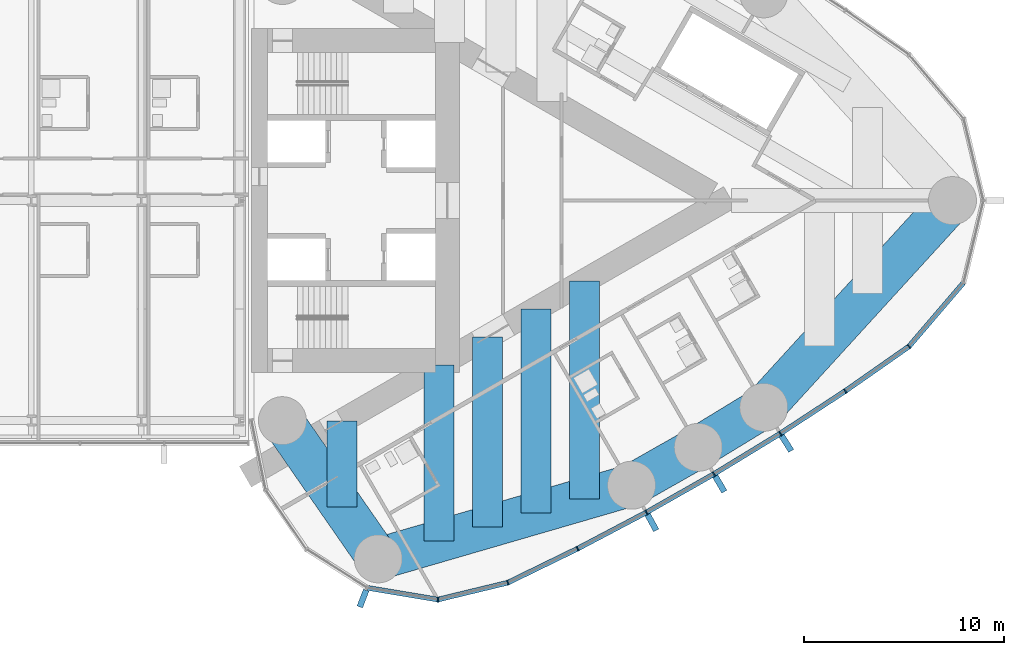
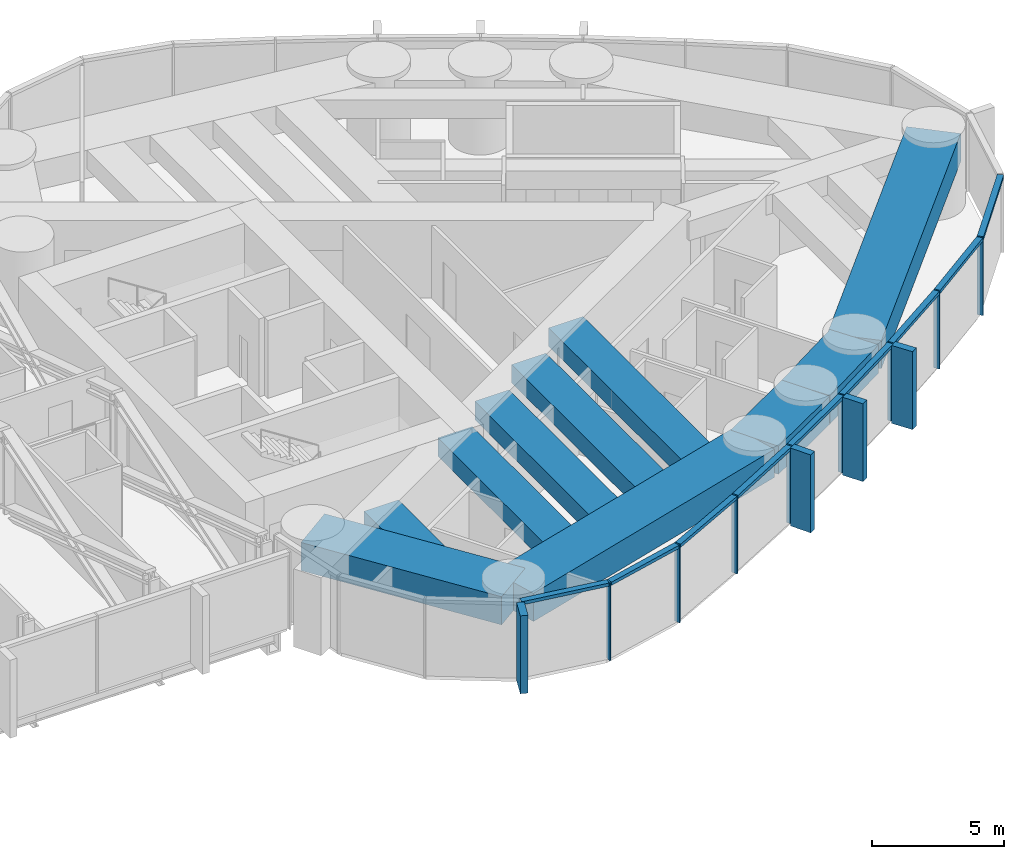
# One storey, part 9 of 24: 21 members, 10 beams, 1 element without a shape of its own.
"""IFC4 building model written with IfcOpenShell, lengths in metres."""

from ifc_helpers import new_model, si_unit, direction, frame, origin, origin_2d, place, context, subcontext, project, spatial, rectangle, extrude, material, material_profile, profile_set, type_object, element, aggregate, save


model = new_model("IFC4")

# Units and contexts
model_context = context("Model", 3, precision=1e-05, world=origin(), true_north=direction((0.0, 1.0)))
body_context = subcontext(model_context, "Body", "Model", "MODEL_VIEW")
ifc_project = project(units=[si_unit("LENGTHUNIT", "METRE"), si_unit("AREAUNIT", "SQUARE_METRE"), si_unit("VOLUMEUNIT", "CUBIC_METRE"), si_unit("PLANEANGLEUNIT", "RADIAN"), si_unit("MASSUNIT", "GRAM", prefix="KILO")], contexts=[model_context])

# Site, building, storey
site_placement = place(None, origin())
site = spatial("IfcSite", under=ifc_project, at=site_placement, CompositionType="ELEMENT")
building_placement = place(site_placement, origin())
building = spatial("IfcBuilding", under=site, at=building_placement, Name="Lancet Gate Hotel", CompositionType="ELEMENT")
storey_placement = place(building_placement, frame((0.0, 0.0, 236.89990234375)))
storey = spatial("IfcBuildingStorey", under=building, at=storey_placement, Name="L63", CompositionType="ELEMENT", Elevation=236.89990234375)

# Curtain wall, members
ifc_material_1 = material(Name="Aluminium curtain wall", Category="aluminium")
curtain_wall_type = type_object("IfcCurtainWallType", Name="Tower unitised curtain wall", PredefinedType="USERDEFINED", material=ifc_material_1)
curtain_wall_placement = place(storey_placement, origin())
curtain_wall = element("IfcCurtainWall", 1, at=curtain_wall_placement, inside=storey, type_object=curtain_wall_type, Name="T2 L63 curtain wall 1", ObjectType="UNITISED CURTAIN WALL", PredefinedType="USERDEFINED")
ifc_material_2 = material(Name="Aluminium mullion", Category="aluminium")
ifc_material_profile_1 = material_profile(ifc_material_2, rectangle(XDim=0.06494140625, YDim=0.25, at=origin_2d()), Name="MULLION 65x250")
ifc_profile_set_1 = profile_set([ifc_material_profile_1], Name="Aluminium mullion")
member_type_1 = type_object("IfcMemberType", Name="Aluminium mullion 65x250", PredefinedType="MULLION", material=ifc_profile_set_1)
member_1_placement = place(storey_placement, frame((36.826171875, -19.942138671875, 0.0), z_axis=(0.0, 0.0, 1.0), x_axis=(0.999342744911, 0.03625021647, 0.0)))
member_1 = element("IfcMember", 2, at=member_1_placement, type_object=member_type_1, Name="T2 L63 curtain wall 1 mullion 5", PredefinedType="MULLION", context=body_context, shape_type="SweptSolid", body=[
    extrude(rectangle(XDim=0.06494140625, YDim=0.25, at=origin_2d()), origin(), (0.0, 0.0, 1.0), 3.60009765625),
])
member_2_placement = place(storey_placement, frame((40.3173828125, -19.098388671875, 0.0), z_axis=(0.0, 0.0, 1.0), x_axis=(0.939483740419, 0.342593493061, 0.0)))
member_2 = element("IfcMember", 3, at=member_2_placement, type_object=member_type_1, Name="T2 L63 curtain wall 1 mullion 6", PredefinedType="MULLION", context=body_context, shape_type="SweptSolid", body=[
    extrude(rectangle(XDim=0.06494140625, YDim=0.25, at=origin_2d()), origin(), (0.0, 0.0, 1.0), 3.60009765625),
])
member_3_placement = place(storey_placement, frame((43.80810546875, -17.396240234375, 0.0), z_axis=(0.0, 0.0, 1.0), x_axis=(0.891832977257, 0.452364831389, 0.0)))
member_3 = element("IfcMember", 4, at=member_3_placement, type_object=member_type_1, Name="T2 L63 curtain wall 1 mullion 7", PredefinedType="MULLION", context=body_context, shape_type="SweptSolid", body=[
    extrude(rectangle(XDim=0.06494140625, YDim=0.25, at=origin_2d()), origin(), (0.0, 0.0, 1.0), 3.60009765625),
])
member_4_placement = place(storey_placement, frame((47.24365234375, -15.585205078125, 0.0), z_axis=(0.0, 0.0, 1.0), x_axis=(0.877194589488, 0.480135035352, 0.0)))
member_4 = element("IfcMember", 5, at=member_4_placement, type_object=member_type_1, Name="T2 L63 curtain wall 1 mullion 8", PredefinedType="MULLION", context=body_context, shape_type="SweptSolid", body=[
    extrude(rectangle(XDim=0.06494140625, YDim=0.25, at=origin_2d()), origin(), (0.0, 0.0, 1.0), 3.60009765625),
])
member_5_placement = place(storey_placement, frame((50.62060546875, -13.667236328125, 0.0), z_axis=(0.0, 0.0, 1.0), x_axis=(0.861691755738, 0.507432082247, 0.0)))
member_5 = element("IfcMember", 6, at=member_5_placement, type_object=member_type_1, Name="T2 L63 curtain wall 1 mullion 9", PredefinedType="MULLION", context=body_context, shape_type="SweptSolid", body=[
    extrude(rectangle(XDim=0.06494140625, YDim=0.25, at=origin_2d()), origin(), (0.0, 0.0, 1.0), 3.60009765625),
])
member_6_placement = place(storey_placement, frame((53.935791015625, -11.644287109375, 0.0), z_axis=(0.0, 0.0, 1.0), x_axis=(0.845339753513, 0.534229071777, 0.0)))
member_6 = element("IfcMember", 7, at=member_6_placement, type_object=member_type_1, Name="T2 L63 curtain wall 1 mullion 10", PredefinedType="MULLION", context=body_context, shape_type="SweptSolid", body=[
    extrude(rectangle(XDim=0.06494140625, YDim=0.25, at=origin_2d()), origin(), (0.0, 0.0, 1.0), 3.60009765625),
])
member_7_placement = place(storey_placement, frame((57.185791015625, -9.518310546875, 0.0), z_axis=(0.0, 0.0, 1.0), x_axis=(0.828154697184, 0.560499596371, 0.0)))
member_7 = element("IfcMember", 8, at=member_7_placement, type_object=member_type_1, Name="T2 L63 curtain wall 1 mullion 11", PredefinedType="MULLION", context=body_context, shape_type="SweptSolid", body=[
    extrude(rectangle(XDim=0.06494140625, YDim=0.25, at=origin_2d()), origin(), (0.0, 0.0, 1.0), 3.60009765625),
])
member_8_placement = place(storey_placement, frame((60.367431640625, -7.291259765625, 0.0), z_axis=(0.0, 0.0, 1.0), x_axis=(0.737323173512, 0.675540182226, 0.0)))
member_8 = element("IfcMember", 9, at=member_8_placement, type_object=member_type_1, Name="T2 L63 curtain wall 1 mullion 12", PredefinedType="MULLION", context=body_context, shape_type="SweptSolid", body=[
    extrude(rectangle(XDim=0.06494140625, YDim=0.25, at=origin_2d()), origin(), (0.0, 0.0, 1.0), 3.60009765625),
])
ifc_material_3 = material(Name="Aluminium transom", Category="aluminium")
ifc_material_profile_2 = material_profile(ifc_material_3, rectangle(XDim=0.25, YDim=0.14990234375, at=origin_2d()), Name="TRANSOM 250x150")
ifc_profile_set_2 = profile_set([ifc_material_profile_2], Name="Aluminium transom")
member_type_2 = type_object("IfcMemberType", Name="Aluminium transom 250x150", PredefinedType="USERDEFINED", material=ifc_profile_set_2)
member_9_placement = place(storey_placement, frame((33.315185546875, -19.35888671875, 3.525146484375), z_axis=(0.986483584545, -0.163860115412, 0.0), x_axis=(0.163860115412, 0.986483584545, 0.0)))
member_9 = element("IfcMember", 10, at=member_9_placement, type_object=member_type_2, Name="T2 L63 curtain wall 1 transom 4", ObjectType="TRANSOM", PredefinedType="USERDEFINED", context=body_context, shape_type="SweptSolid", body=[
    extrude(rectangle(XDim=0.25, YDim=0.14990234375, at=origin_2d()), origin(), (0.0, 0.0, 1.0), 3.526611328125),
])
member_10_placement = place(storey_placement, frame((36.85791015625, -19.9345703125, 3.525146484375), z_axis=(0.972002653858, 0.234969872307, 0.0), x_axis=(-0.234969872307, 0.972002653858, 0.0)))
member_10 = element("IfcMember", 11, at=member_10_placement, type_object=member_type_2, Name="T2 L63 curtain wall 1 transom 5", ObjectType="TRANSOM", PredefinedType="USERDEFINED", context=body_context, shape_type="SweptSolid", body=[
    extrude(rectangle(XDim=0.25, YDim=0.14990234375, at=origin_2d()), origin(), (0.0, 0.0, 1.0), 3.5263671875),
])
member_11_placement = place(storey_placement, frame((40.346435546875, -19.084228515625, 3.525146484375), z_axis=(0.898820051991, 0.438317823206, 0.0), x_axis=(-0.438317823206, 0.898820051991, 0.0)))
member_11 = element("IfcMember", 12, at=member_11_placement, type_object=member_type_2, Name="T2 L63 curtain wall 1 transom 6", ObjectType="TRANSOM", PredefinedType="USERDEFINED", context=body_context, shape_type="SweptSolid", body=[
    extrude(rectangle(XDim=0.25, YDim=0.14990234375, at=origin_2d()), origin(), (0.0, 0.0, 1.0), 3.81884765625),
])
member_12_placement = place(storey_placement, frame((43.836669921875, -17.381103515625, 3.525146484375), z_axis=(0.884618491031, 0.466315478325, 0.0), x_axis=(-0.466315478325, 0.884618491031, 0.0)))
member_12 = element("IfcMember", 13, at=member_12_placement, type_object=member_type_2, Name="T2 L63 curtain wall 1 transom 7", ObjectType="TRANSOM", PredefinedType="USERDEFINED", context=body_context, shape_type="SweptSolid", body=[
    extrude(rectangle(XDim=0.25, YDim=0.14990234375, at=origin_2d()), origin(), (0.0, 0.0, 1.0), 3.81884765625),
])
member_13_placement = place(storey_placement, frame((47.271728515625, -15.569091796875, 3.525146484375), z_axis=(0.869562011924, 0.493823761496, 0.0), x_axis=(-0.493823761496, 0.869562011924, 0.0)))
member_13 = element("IfcMember", 14, at=member_13_placement, type_object=member_type_2, Name="T2 L63 curtain wall 1 transom 8", ObjectType="TRANSOM", PredefinedType="USERDEFINED", context=body_context, shape_type="SweptSolid", body=[
    extrude(rectangle(XDim=0.25, YDim=0.14990234375, at=origin_2d()), origin(), (0.0, 0.0, 1.0), 3.818603515625),
])
member_14_placement = place(storey_placement, frame((50.648193359375, -13.650390625, 3.525146484375), z_axis=(0.853638798527, 0.520865435261, 0.0), x_axis=(-0.520865435261, 0.853638798527, 0.0)))
member_14 = element("IfcMember", 15, at=member_14_placement, type_object=member_type_2, Name="T2 L63 curtain wall 1 transom 9", ObjectType="TRANSOM", PredefinedType="USERDEFINED", context=body_context, shape_type="SweptSolid", body=[
    extrude(rectangle(XDim=0.25, YDim=0.14990234375, at=origin_2d()), origin(), (0.0, 0.0, 1.0), 3.818603515625),
])
member_15_placement = place(storey_placement, frame((53.962890625, -11.62646484375, 3.525146484375), z_axis=(0.836858089593, 0.547419891749, 0.0), x_axis=(-0.547419891749, 0.836858089593, 0.0)))
member_15 = element("IfcMember", 16, at=member_15_placement, type_object=member_type_2, Name="T2 L63 curtain wall 1 transom 10", ObjectType="TRANSOM", PredefinedType="USERDEFINED", context=body_context, shape_type="SweptSolid", body=[
    extrude(rectangle(XDim=0.25, YDim=0.14990234375, at=origin_2d()), origin(), (0.0, 0.0, 1.0), 3.818603515625),
])
member_16_placement = place(storey_placement, frame((57.21240234375, -9.499755859375, 3.525146484375), z_axis=(0.819255948852, 0.573428016642, 0.0), x_axis=(-0.573428016642, 0.819255948852, 0.0)))
member_16 = element("IfcMember", 17, at=member_16_placement, type_object=member_type_2, Name="T2 L63 curtain wall 1 transom 11", ObjectType="TRANSOM", PredefinedType="USERDEFINED", context=body_context, shape_type="SweptSolid", body=[
    extrude(rectangle(XDim=0.25, YDim=0.14990234375, at=origin_2d()), origin(), (0.0, 0.0, 1.0), 3.818603515625),
])
member_17_placement = place(storey_placement, frame((60.388427734375, -7.2666015625, 3.525146484375), z_axis=(0.650592500186, 0.759427019997, 0.0), x_axis=(-0.759427019997, 0.650592500186, 0.0)))
member_17 = element("IfcMember", 18, at=member_17_placement, type_object=member_type_2, Name="T2 L63 curtain wall 1 transom 12", ObjectType="TRANSOM", PredefinedType="USERDEFINED", context=body_context, shape_type="SweptSolid", body=[
    extrude(rectangle(XDim=0.25, YDim=0.14990234375, at=origin_2d()), origin(), (0.0, 0.0, 1.0), 4.1455078125),
])

# Beams
ifc_material_4 = material(Name="Concrete C50/60", Category="concrete")
ifc_material_profile_3 = material_profile(ifc_material_4, rectangle(XDim=2.10009765625, YDim=1.300048828125, at=origin_2d()), Name="RC 2100x1300")
ifc_profile_set_3 = profile_set([ifc_material_profile_3], Name="Concrete C50/60")
beam_type_1 = type_object("IfcBeamType", Name="Edge beam RC 2100x1300", PredefinedType="SPANDREL", material=ifc_profile_set_3)
beam_1_placement = place(storey_placement, frame((33.837158203125, -17.906005859375, 2.7001953125), z_axis=(0.960258384252, 0.279112585659, 0.0), x_axis=(-0.279112585659, 0.960258384252, 0.0)))
element("IfcBeam", 19, at=beam_1_placement, inside=storey, type_object=beam_type_1, Name="T2 edge beam EB1 L63", PredefinedType="SPANDREL", context=body_context, shape_type="SweptSolid", body=[
    extrude(rectangle(XDim=2.10009765625, YDim=1.300048828125, at=origin_2d()), origin(), (0.0, 0.0, 1.0), 13.18603515625),
])
beam_2_placement = place(storey_placement, frame((46.499267578125, -14.2255859375, 2.7001953125), z_axis=(0.869560321562, 0.493826738001, 0.0), x_axis=(-0.493826738001, 0.869560321562, 0.0)))
element("IfcBeam", 20, at=beam_2_placement, inside=storey, type_object=beam_type_1, Name="T2 edge beam EB1 L63", PredefinedType="SPANDREL", context=body_context, shape_type="SweptSolid", body=[
    extrude(rectangle(XDim=2.10009765625, YDim=1.300048828125, at=origin_2d()), origin(), (0.0, 0.0, 1.0), 3.8349609375),
])
beam_3_placement = place(storey_placement, frame((49.833984375, -12.331787109375, 2.7001953125), z_axis=(0.853604257265, 0.520922040212, 0.0), x_axis=(-0.520922040212, 0.853604257265, 0.0)))
element("IfcBeam", 21, at=beam_3_placement, inside=storey, type_object=beam_type_1, Name="T2 edge beam EB1 L63", PredefinedType="SPANDREL", context=body_context, shape_type="SweptSolid", body=[
    extrude(rectangle(XDim=2.10009765625, YDim=1.300048828125, at=origin_2d()), origin(), (0.0, 0.0, 1.0), 3.835205078125),
])
beam_4_placement = place(storey_placement, frame((53.107666015625, -10.333984375, 2.7001953125), z_axis=(0.674209372947, 0.738540263919, 0.0), x_axis=(-0.738540263919, 0.674209372947, 0.0)))
element("IfcBeam", 22, at=beam_4_placement, inside=storey, type_object=beam_type_1, Name="T2 edge beam EB1 L63", PredefinedType="SPANDREL", context=body_context, shape_type="SweptSolid", body=[
    extrude(rectangle(XDim=2.10009765625, YDim=1.300048828125, at=origin_2d()), origin(), (0.0, 0.0, 1.0), 13.992431640625),
])
beam_5_placement = place(storey_placement, frame((33.837158203125, -17.906005859375, 2.7001953125), z_axis=(-0.569694852599, 0.821856298219, 0.0), x_axis=(-0.821856298219, -0.569694852599, 0.0)))
element("IfcBeam", 23, at=beam_5_placement, inside=storey, type_object=beam_type_1, Name="T2 edge beam EB1 L63", PredefinedType="SPANDREL", context=body_context, shape_type="SweptSolid", body=[
    extrude(rectangle(XDim=2.10009765625, YDim=1.300048828125, at=origin_2d()), origin(), (0.0, 0.0, 1.0), 8.40283203125),
])

# Member
ifc_material_5 = material(Name="Precast concrete C50/60", Category="concrete")
ifc_material_profile_4 = material_profile(ifc_material_5, rectangle(XDim=0.300048828125, YDim=0.89990234375, at=origin_2d()), Name="FIN 300x900")
ifc_profile_set_4 = profile_set([ifc_material_profile_4], Name="Precast concrete C50/60")
member_type_3 = type_object("IfcMemberType", Name="Exposed concrete fin 300x900", PredefinedType="USERDEFINED", material=ifc_profile_set_4)
member_18_placement = place(storey_placement, frame((33.07763671875, -19.890625, 0.0), z_axis=(0.0, 0.0, 1.0), x_axis=(0.93394321776, -0.357421412343, 0.0)))
member_18 = element("IfcMember", 24, at=member_18_placement, type_object=member_type_3, Name="T2 L63 curtain wall 1 fin 4", ObjectType="FIN", PredefinedType="USERDEFINED", context=body_context, shape_type="SweptSolid", body=[
    extrude(rectangle(XDim=0.300048828125, YDim=0.89990234375, at=origin_2d()), origin(), (0.0, 0.0, 1.0), 3.60009765625),
])

member_19_placement = place(storey_placement, frame((47.51953125, -16.089599609375, 0.0), z_axis=(0.0, 0.0, 1.0), x_axis=(0.877194589488, 0.480135035352, 0.0)))
member_19 = element("IfcMember", 25, at=member_19_placement, type_object=member_type_3, Name="T2 L63 curtain wall 1 fin 8", ObjectType="FIN", PredefinedType="USERDEFINED", context=body_context, shape_type="SweptSolid", body=[
    extrude(rectangle(XDim=0.300048828125, YDim=0.89990234375, at=origin_2d()), origin(), (0.0, 0.0, 1.0), 3.60009765625),
])

member_20_placement = place(storey_placement, frame((50.912353515625, -14.162841796875, 0.0), z_axis=(0.0, 0.0, 1.0), x_axis=(0.861691755738, 0.507432082247, 0.0)))
member_20 = element("IfcMember", 26, at=member_20_placement, type_object=member_type_3, Name="T2 L63 curtain wall 1 fin 9", ObjectType="FIN", PredefinedType="USERDEFINED", context=body_context, shape_type="SweptSolid", body=[
    extrude(rectangle(XDim=0.300048828125, YDim=0.89990234375, at=origin_2d()), origin(), (0.0, 0.0, 1.0), 3.60009765625),
])

member_21_placement = place(storey_placement, frame((54.242919921875, -12.13037109375, 0.0), z_axis=(0.0, 0.0, 1.0), x_axis=(0.845339753513, 0.534229071777, 0.0)))
member_21 = element("IfcMember", 27, at=member_21_placement, type_object=member_type_3, Name="T2 L63 curtain wall 1 fin 10", ObjectType="FIN", PredefinedType="USERDEFINED", context=body_context, shape_type="SweptSolid", body=[
    extrude(rectangle(XDim=0.300048828125, YDim=0.89990234375, at=origin_2d()), origin(), (0.0, 0.0, 1.0), 3.60009765625),
])

aggregate(curtain_wall, [member_18, member_1, member_2, member_3, member_4, member_19, member_5, member_20, member_6, member_21, member_7, member_8, member_9, member_10, member_11, member_12, member_13, member_14, member_15, member_16, member_17])

# Beams
ifc_material_6 = material(Name="Concrete C50/60", Category="concrete")
ifc_material_profile_5 = material_profile(ifc_material_6, rectangle(XDim=1.5, YDim=0.85009765625, at=origin_2d()), Name="RC 1500x850")
ifc_profile_set_5 = profile_set([ifc_material_profile_5], Name="Concrete C50/60")
beam_type_2 = type_object("IfcBeamType", Name="Floor beam RC 1500x850", PredefinedType="BEAM", material=ifc_profile_set_5)
beam_6_placement = place(storey_placement, frame((32.04052734375, -15.31396484375, 2.925048828125), z_axis=(0.0, 1.0, 0.0), x_axis=(-1.0, 0.0, 0.0)))
element("IfcBeam", 28, at=beam_6_placement, inside=storey, type_object=beam_type_2, Name="T2 floor beam F01S L63", PredefinedType="BEAM", context=body_context, shape_type="SweptSolid", body=[
    extrude(rectangle(XDim=1.5, YDim=0.85009765625, at=origin_2d()), origin(), (0.0, 0.0, 1.0), 4.30859375),
])
beam_7_placement = place(storey_placement, frame((36.880859375, -17.021240234375, 2.925048828125), z_axis=(0.0, 1.0, 0.0), x_axis=(-1.0, 0.0, 0.0)))
element("IfcBeam", 29, at=beam_7_placement, inside=storey, type_object=beam_type_2, Name="T2 floor beam F03S L63", PredefinedType="BEAM", context=body_context, shape_type="SweptSolid", body=[
    extrude(rectangle(XDim=1.5, YDim=0.85009765625, at=origin_2d()), origin(), (0.0, 0.0, 1.0), 8.810546875),
])
beam_8_placement = place(storey_placement, frame((39.301025390625, -16.31787109375, 2.925048828125), z_axis=(0.0, 1.0, 0.0), x_axis=(-1.0, 0.0, 0.0)))
element("IfcBeam", 30, at=beam_8_placement, inside=storey, type_object=beam_type_2, Name="T2 floor beam F05S L63", PredefinedType="BEAM", context=body_context, shape_type="SweptSolid", body=[
    extrude(rectangle(XDim=1.5, YDim=0.85009765625, at=origin_2d()), origin(), (0.0, 0.0, 1.0), 9.50439453125),
])
beam_9_placement = place(storey_placement, frame((41.721435546875, -15.6142578125, 2.925048828125), z_axis=(0.0, 1.0, 0.0), x_axis=(-1.0, 0.0, 0.0)))
element("IfcBeam", 31, at=beam_9_placement, inside=storey, type_object=beam_type_2, Name="T2 floor beam F07S L63", PredefinedType="BEAM", context=body_context, shape_type="SweptSolid", body=[
    extrude(rectangle(XDim=1.5, YDim=0.85009765625, at=origin_2d()), origin(), (0.0, 0.0, 1.0), 10.1982421875),
])
beam_10_placement = place(storey_placement, frame((44.1416015625, -14.910888671875, 2.925048828125), z_axis=(0.0, 1.0, 0.0), x_axis=(-1.0, 0.0, 0.0)))
element("IfcBeam", 32, at=beam_10_placement, inside=storey, type_object=beam_type_2, Name="T2 floor beam F09S L63", PredefinedType="BEAM", context=body_context, shape_type="SweptSolid", body=[
    extrude(rectangle(XDim=1.5, YDim=0.85009765625, at=origin_2d()), origin(), (0.0, 0.0, 1.0), 10.89208984375),
])

save(model, "model.ifc")
